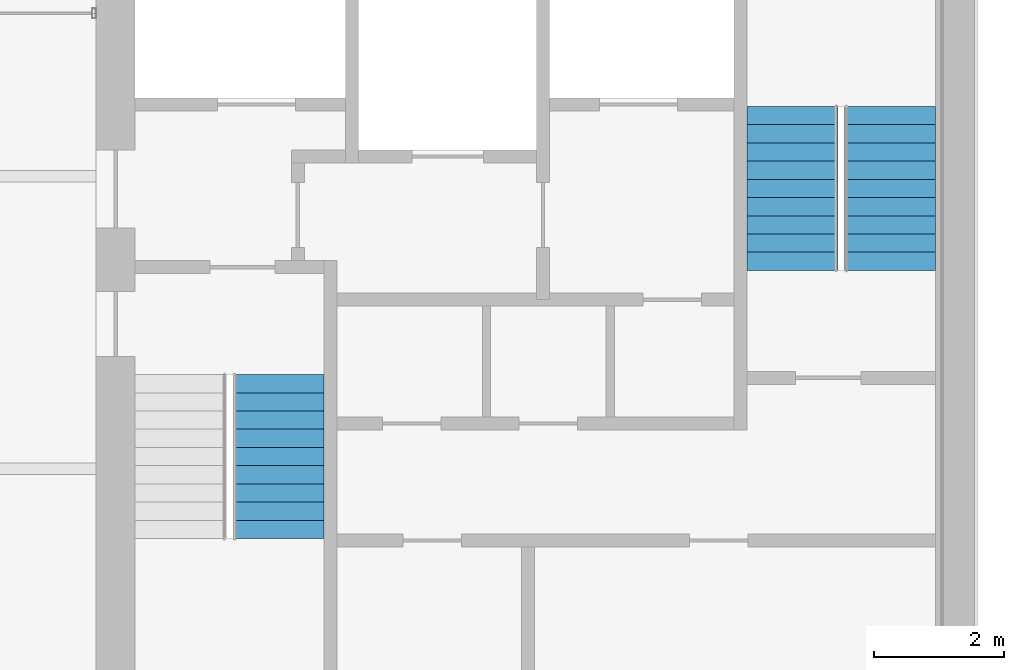
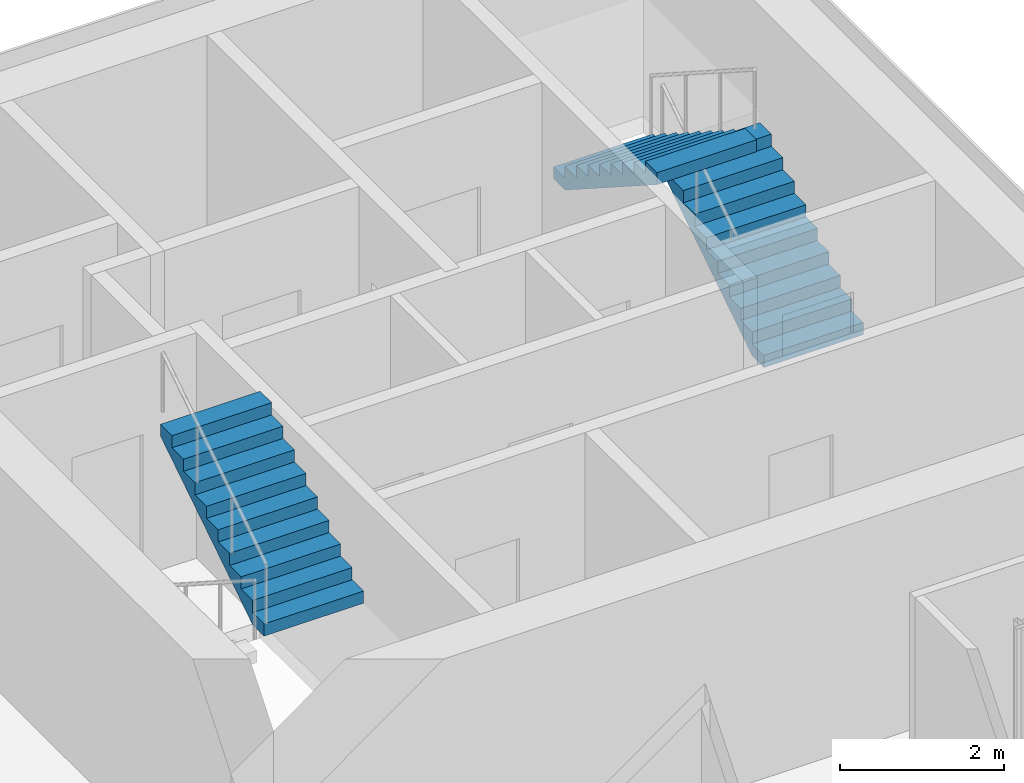
# One storey, part 39 of 40: 3 stair flights, 2 elements without a shape of their own.
"""IFC4 building model written with IfcOpenShell, lengths in metres."""

from ifc_helpers import new_model, si_unit, direction, frame, origin, place, context, subcontext, project, spatial, polyline, outline, extrude, material, type_object, element, aggregate, save


model = new_model("IFC4")

# Units and contexts
model_context = context("Model", 3, precision=1e-05, world=origin(), true_north=direction((0.0, 1.0)))
body_context = subcontext(model_context, "Body", "Model", "MODEL_VIEW")
ifc_project = project(units=[si_unit("LENGTHUNIT", "METRE"), si_unit("AREAUNIT", "SQUARE_METRE"), si_unit("VOLUMEUNIT", "CUBIC_METRE"), si_unit("PLANEANGLEUNIT", "RADIAN"), si_unit("MASSUNIT", "GRAM", prefix="KILO")], contexts=[model_context])

# Site, building, storey
site_placement = place(None, origin())
site = spatial("IfcSite", under=ifc_project, at=site_placement, CompositionType="ELEMENT")
building_placement = place(site_placement, origin())
building = spatial("IfcBuilding", under=site, at=building_placement, Name="Altepetl Exchange Towers", CompositionType="ELEMENT")
storey_placement = place(building_placement, frame((0.0, 0.0, 169.0)))
storey = spatial("IfcBuildingStorey", under=building, at=storey_placement, Name="L42", CompositionType="ELEMENT", Elevation=169.0)

# Stair, stair flight
ifc_material = material(Name="Concrete C40/50", Category="concrete")
stair_type = type_object("IfcStairType", Name="Exit stair 1400 flights dogleg", PredefinedType="HALF_TURN_STAIR", material=ifc_material)
stair_1_placement = place(storey_placement, origin())
stair_1 = element("IfcStair", 1, at=stair_1_placement, inside=storey, type_object=stair_type, Name="Exit stair 1", PredefinedType="HALF_TURN_STAIR")
stair_flight_type = type_object("IfcStairFlightType", Name="Stair flight 1400 wide", PredefinedType="STRAIGHT", material=ifc_material)
stair_flight_1_placement = place(storey_placement, frame((106.300048828125, 39.429931640625, 1.800048828125), z_axis=(0.0, 0.0, 1.0), x_axis=(0.0, 1.0, 0.0)))
stair_flight_1 = element("IfcStairFlight", 2, at=stair_flight_1_placement, type_object=stair_flight_type, Name="ST-B1e flight 2", NumberOfRisers=10, NumberOfTreads=9, PredefinedType="STRAIGHT", RiserHeight=0.18, TreadLength=0.28, context=body_context, shape_type="SweptSolid", body=[
    extrude(outline(polyline([(0.0, 0.0), (0.0, 0.179931640625), (0.280029296875, 0.179931640625), (0.280029296875, 0.360107421875), (0.56005859375, 0.360107421875), (0.56005859375, 0.5400390625), (0.840087890625, 0.5400390625), (0.840087890625, 0.719970703125), (1.1201171875, 0.719970703125), (1.1201171875, 0.89990234375), (1.39990234375, 0.89990234375), (1.39990234375, 1.080078125), (1.679931640625, 1.080078125), (1.679931640625, 1.260009765625), (1.9599609375, 1.260009765625), (1.9599609375, 1.43994140625), (2.239990234375, 1.43994140625), (2.239990234375, 1.6201171875), (2.52001953125, 1.6201171875), (2.52001953125, 1.800048828125), (2.52001953125, 1.44189453125), (0.277099609375, 0.0), (0.0, 0.0)])), frame((0.0, 0.699951171875, 0.0), z_axis=(0.0, -1.0, 0.0), x_axis=(1.0, 0.0, 0.0)), (0.0, 0.0, 1.0), 1.39990234375),
])
aggregate(stair_1, [stair_flight_1])

# Stair, stair flights
stair_2_placement = place(storey_placement, origin())
stair_2 = element("IfcStair", 3, at=stair_2_placement, inside=storey, type_object=stair_type, Name="Exit stair 2", PredefinedType="HALF_TURN_STAIR")
stair_flight_2_placement = place(storey_placement, frame((115.699951171875, 43.550048828125, 0.0), z_axis=(0.0, 0.0, 1.0), x_axis=(0.0, 1.0, 0.0)))
stair_flight_2 = element("IfcStairFlight", 4, at=stair_flight_2_placement, type_object=stair_flight_type, Name="ST-B2e flight 1", NumberOfRisers=10, NumberOfTreads=9, PredefinedType="STRAIGHT", RiserHeight=0.18, TreadLength=0.28, context=body_context, shape_type="SweptSolid", body=[
    extrude(outline(polyline([(0.0, 0.0), (0.0, 0.179931640625), (0.280029296875, 0.179931640625), (0.280029296875, 0.360107421875), (0.56005859375, 0.360107421875), (0.56005859375, 0.5400390625), (0.840087890625, 0.5400390625), (0.840087890625, 0.719970703125), (1.1201171875, 0.719970703125), (1.1201171875, 0.89990234375), (1.39990234375, 0.89990234375), (1.39990234375, 1.080078125), (1.679931640625, 1.080078125), (1.679931640625, 1.260009765625), (1.9599609375, 1.260009765625), (1.9599609375, 1.43994140625), (2.239990234375, 1.43994140625), (2.239990234375, 1.6201171875), (2.52001953125, 1.6201171875), (2.52001953125, 1.800048828125), (2.52001953125, 1.44189453125), (0.277099609375, 0.0), (0.0, 0.0)])), frame((0.0, 0.699951171875, 0.0), z_axis=(0.0, -1.0, 0.0), x_axis=(1.0, 0.0, 0.0)), (0.0, 0.0, 1.0), 1.39990234375),
])
stair_flight_3_placement = place(storey_placement, frame((114.199951171875, 46.070068359375, 1.800048828125), z_axis=(0.0, 0.0, 1.0), x_axis=(0.0, -1.0, 0.0)))
stair_flight_3 = element("IfcStairFlight", 5, at=stair_flight_3_placement, type_object=stair_flight_type, Name="ST-B2e flight 2", NumberOfRisers=10, NumberOfTreads=9, PredefinedType="STRAIGHT", RiserHeight=0.18, TreadLength=0.28, context=body_context, shape_type="SweptSolid", body=[
    extrude(outline(polyline([(0.0, 0.0), (0.0, 0.179931640625), (0.280029296875, 0.179931640625), (0.280029296875, 0.360107421875), (0.56005859375, 0.360107421875), (0.56005859375, 0.5400390625), (0.840087890625, 0.5400390625), (0.840087890625, 0.719970703125), (1.1201171875, 0.719970703125), (1.1201171875, 0.89990234375), (1.39990234375, 0.89990234375), (1.39990234375, 1.080078125), (1.679931640625, 1.080078125), (1.679931640625, 1.260009765625), (1.9599609375, 1.260009765625), (1.9599609375, 1.43994140625), (2.239990234375, 1.43994140625), (2.239990234375, 1.6201171875), (2.52001953125, 1.6201171875), (2.52001953125, 1.800048828125), (2.52001953125, 1.44189453125), (0.277099609375, 0.0), (0.0, 0.0)])), frame((0.0, 0.699951171875, 0.0), z_axis=(0.0, -1.0, 0.0), x_axis=(1.0, 0.0, 0.0)), (0.0, 0.0, 1.0), 1.39990234375),
])
aggregate(stair_2, [stair_flight_2, stair_flight_3])

save(model, "model.ifc")
